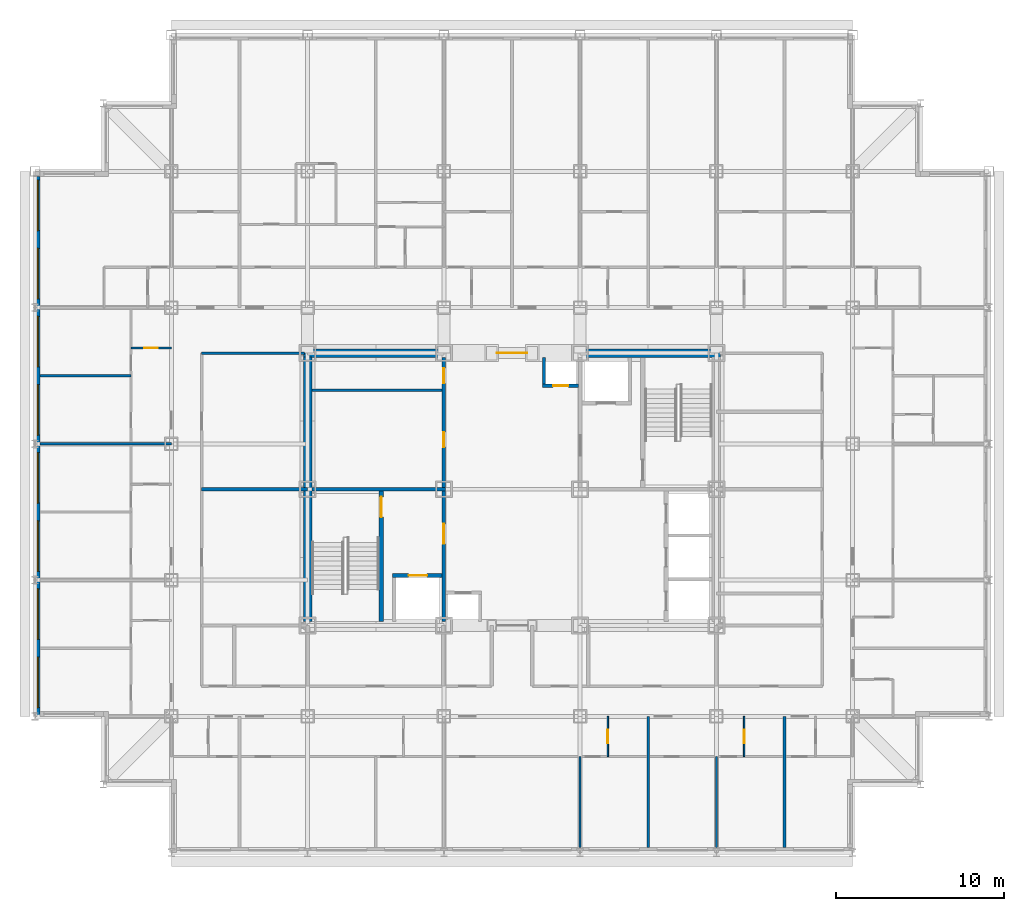
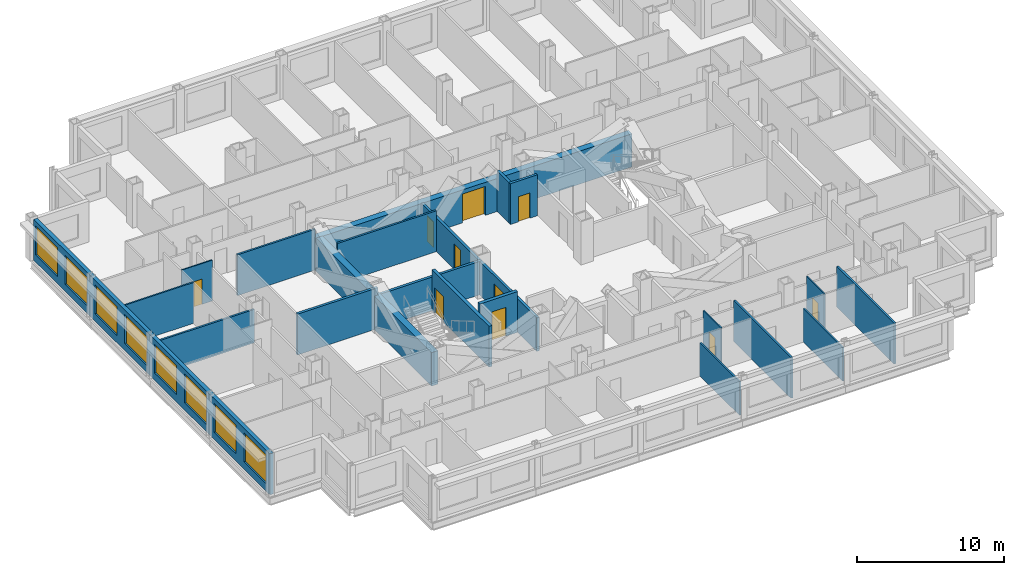
# One storey, part 6 of 12: 22 walls, 10 doors, 8 windows, 18 openings.
"""IFC4 building model written with IfcOpenShell, lengths in metres."""

from ifc_helpers import new_model, si_unit, direction, frame, frame_2d, origin, place, context, subcontext, project, spatial, rectangle, extrude, material, layer, layer_set, type_object, element, fill, save


model = new_model("IFC4")

# Units and contexts
model_context = context("Model", 3, precision=1e-05, world=origin(), true_north=direction((0.0, 1.0)))
body_context = subcontext(model_context, "Body", "Model", "MODEL_VIEW")
ifc_project = project(units=[si_unit("LENGTHUNIT", "METRE"), si_unit("AREAUNIT", "SQUARE_METRE"), si_unit("VOLUMEUNIT", "CUBIC_METRE"), si_unit("PLANEANGLEUNIT", "RADIAN"), si_unit("MASSUNIT", "GRAM", prefix="KILO")], contexts=[model_context])

# Site, building, storey
site_placement = place(None, origin())
site = spatial("IfcSite", under=ifc_project, at=site_placement, CompositionType="ELEMENT")
building_placement = place(site_placement, origin())
building = spatial("IfcBuilding", under=site, at=building_placement, Name="Kopane Lantern Tower", CompositionType="ELEMENT")
storey_placement = place(building_placement, frame((0.0, 0.0, 195.60009765625)))
storey = spatial("IfcBuildingStorey", under=building, at=storey_placement, Name="L50", CompositionType="ELEMENT", Elevation=195.60009765625)

# Walls
ifc_material_1 = material(Name="Gypsum board on steel studs", Category="steel")
ifc_layer_1 = layer(ifc_material_1, 0.1201171875)
ifc_layer_set_1 = layer_set([ifc_layer_1], Name="APARTMENT INTERNAL WALL 120")
wall_type_1 = type_object("IfcWallType", Name="APARTMENT INTERNAL WALL 120", PredefinedType="PARTITIONING", material=ifc_layer_set_1)
for number, where, z_axis, x_axis, name in (
    (1, (32.39990234375, 16.5, 0.0), (0.0, 0.0, 1.0), (0.0, -1.0, 0.0), "Apartment Internal Wall 120 L50"),
    (2, (40.5, 16.5, 0.0), (0.0, 0.0, 1.0), (0.0, -1.0, 0.0), "Apartment Internal Wall 120 L50"),
):
    element("IfcWall", number, at=place(storey_placement, frame(where, z_axis=z_axis, x_axis=x_axis)), inside=storey, type_object=wall_type_1, Name=name, PredefinedType="PARTITIONING", context=body_context, shape_type="SweptSolid", body=[
        extrude(rectangle(XDim=5.39990234375, YDim=0.1201171875, at=frame_2d((2.699951171875, 0.0))), origin(), (0.0, 0.0, 1.0), 2.777587890625),
    ])
wall_1_placement = place(storey_placement, frame((5.699951171875, 39.14990234375, 0.0), z_axis=(0.0, 0.0, 1.0), x_axis=(-1.0, 0.0, 0.0)))
element("IfcWall", 3, at=wall_1_placement, inside=storey, type_object=wall_type_1, Name="Apartment Internal Wall 120 L50", PredefinedType="PARTITIONING", context=body_context, shape_type="SweptSolid", body=[
    extrude(rectangle(XDim=5.39990234375, YDim=0.1201171875, at=frame_2d((2.699951171875, 0.0))), origin(), (0.0, 0.0, 1.0), 3.389892578125),
])

# Wall, opening, door
ifc_material_2 = material(Name="Moisture-resistant board on steel studs", Category="steel")
ifc_layer_2 = layer(ifc_material_2, 0.10009765625)
ifc_layer_set_2 = layer_set([ifc_layer_2], Name="BATHROOM WALL 100")
wall_type_2 = type_object("IfcWallType", Name="BATHROOM WALL 100", PredefinedType="PARTITIONING", material=ifc_layer_set_2)
wall_2_placement = place(storey_placement, frame((34.050048828125, 18.89990234375, 0.0), z_axis=(0.0, 0.0, 1.0), x_axis=(0.0, -1.0, 0.0)))
wall_2 = element("IfcWall", 4, at=wall_2_placement, inside=storey, type_object=wall_type_2, Name="Bathroom Wall 100 L50", PredefinedType="PARTITIONING", context=body_context, shape_type="SweptSolid", body=[
    extrude(rectangle(XDim=2.39990234375, YDim=0.10009765625, at=frame_2d((1.199951171875, 0.0))), origin(), (0.0, 0.0, 1.0), 3.389892578125),
])
opening_1_placement = place(wall_2_placement, frame((0.800048828125, 0.0, 0.0)))
opening_1 = element("IfcOpeningElement", 5, at=opening_1_placement, cuts=wall_2, Name="Opening L50-018", PredefinedType="OPENING", context=body_context, shape_type="SweptSolid", body=[
    extrude(rectangle(XDim=0.800048828125, YDim=2.10009765625, at=frame_2d((0.39990234375, 1.050048828125))), frame((0.0, 0.06005859375, 0.0), z_axis=(0.0, -1.0, 0.0), x_axis=(1.0, 0.0, 0.0)), (0.0, 0.0, 1.0), 0.1201171875),
])
ifc_material_3 = material(Name="Timber door set", Category="wood")
door_type_1 = type_object("IfcDoorType", Name="DOOR D2 800x2100", OperationType="SINGLE_SWING_LEFT", PredefinedType="DOOR", material=ifc_material_3)
door_1_placement = place(opening_1_placement, origin())
door_1 = element("IfcDoor", 6, at=door_1_placement, inside=storey, type_object=door_type_1, Name="Door L50-018", OperationType="SINGLE_SWING_LEFT", OverallHeight=2.10009765625, OverallWidth=0.800048828125, PredefinedType="DOOR", context=body_context, shape_type="SweptSolid", body=[
    extrude(rectangle(XDim=0.800048828125, YDim=2.10009765625, at=frame_2d((0.39990234375, 1.050048828125))), frame((0.0, 0.02490234375, 0.0), z_axis=(0.0, -1.0, 0.0), x_axis=(1.0, 0.0, 0.0)), (0.0, 0.0, 1.0), 0.050048828125),
])
fill(opening_1, door_1)

wall_3_placement = place(storey_placement, frame((42.14990234375, 18.89990234375, 0.0), z_axis=(0.0, 0.0, 1.0), x_axis=(0.0, -1.0, 0.0)))
wall_3 = element("IfcWall", 7, at=wall_3_placement, inside=storey, type_object=wall_type_2, Name="Bathroom Wall 100 L50", PredefinedType="PARTITIONING", context=body_context, shape_type="SweptSolid", body=[
    extrude(rectangle(XDim=2.39990234375, YDim=0.10009765625, at=frame_2d((1.199951171875, 0.0))), origin(), (0.0, 0.0, 1.0), 3.389892578125),
])
opening_2_placement = place(wall_3_placement, frame((0.800048828125, 0.0, 0.0)))
opening_2 = element("IfcOpeningElement", 8, at=opening_2_placement, cuts=wall_3, Name="Opening L50-022", PredefinedType="OPENING", context=body_context, shape_type="SweptSolid", body=[
    extrude(rectangle(XDim=0.800048828125, YDim=2.10009765625, at=frame_2d((0.39990234375, 1.050048828125))), frame((0.0, 0.06005859375, 0.0), z_axis=(0.0, -1.0, 0.0), x_axis=(1.0, 0.0, 0.0)), (0.0, 0.0, 1.0), 0.1201171875),
])
door_2_placement = place(opening_2_placement, origin())
door_2 = element("IfcDoor", 9, at=door_2_placement, inside=storey, type_object=door_type_1, Name="Door L50-022", OperationType="SINGLE_SWING_LEFT", OverallHeight=2.10009765625, OverallWidth=0.800048828125, PredefinedType="DOOR", context=body_context, shape_type="SweptSolid", body=[
    extrude(rectangle(XDim=0.800048828125, YDim=2.10009765625, at=frame_2d((0.39990234375, 1.050048828125))), frame((0.0, 0.02490234375, 0.0), z_axis=(0.0, -1.0, 0.0), x_axis=(1.0, 0.0, 0.0)), (0.0, 0.0, 1.0), 0.050048828125),
])
fill(opening_2, door_2)

wall_4_placement = place(storey_placement, frame((8.10009765625, 40.800048828125, 0.0), z_axis=(0.0, 0.0, 1.0), x_axis=(-1.0, 0.0, 0.0)))
wall_4 = element("IfcWall", 10, at=wall_4_placement, inside=storey, type_object=wall_type_2, Name="Bathroom Wall 100 L50", PredefinedType="PARTITIONING", context=body_context, shape_type="SweptSolid", body=[
    extrude(rectangle(XDim=2.400146484375, YDim=0.10009765625, at=frame_2d((1.2001953125, 0.0))), origin(), (0.0, 0.0, 1.0), 3.389892578125),
])
opening_3_placement = place(wall_4_placement, frame((0.800048828125, 0.0, 0.0)))
opening_3 = element("IfcOpeningElement", 11, at=opening_3_placement, cuts=wall_4, Name="Opening L50-048", PredefinedType="OPENING", context=body_context, shape_type="SweptSolid", body=[
    extrude(rectangle(XDim=0.800048828125, YDim=2.10009765625, at=frame_2d((0.39990234375, 1.050048828125))), frame((0.0, 0.06005859375, 0.0), z_axis=(0.0, -1.0, 0.0), x_axis=(1.0, 0.0, 0.0)), (0.0, 0.0, 1.0), 0.1201171875),
])
door_3_placement = place(opening_3_placement, origin())
door_3 = element("IfcDoor", 12, at=door_3_placement, inside=storey, type_object=door_type_1, Name="Door L50-048", OperationType="SINGLE_SWING_RIGHT", OverallHeight=2.10009765625, OverallWidth=0.800048828125, PredefinedType="DOOR", context=body_context, shape_type="SweptSolid", body=[
    extrude(rectangle(XDim=0.800048828125, YDim=2.10009765625, at=frame_2d((0.39990234375, 1.050048828125))), frame((0.0, 0.02490234375, 0.0), z_axis=(0.0, -1.0, 0.0), x_axis=(1.0, 0.0, 0.0)), (0.0, 0.0, 1.0), 0.050048828125),
])
fill(opening_3, door_3)

ifc_material_4 = material(Name="Gypsum shaft wall EI 120", Category="gypsum")
ifc_layer_3 = layer(ifc_material_4, 0.5)
ifc_layer_set_3 = layer_set([ifc_layer_3], Name="CORE PERIMETER WALL 500 EI 120")
wall_type_3 = type_object("IfcWallType", Name="CORE PERIMETER WALL 500 EI 120", PredefinedType="SOLIDWALL", material=ifc_layer_set_3)
wall_5_placement = place(storey_placement, frame((15.949951171875, 40.5, 0.0), z_axis=(0.0, 0.0, 1.0), x_axis=(1.0, 0.0, 0.0)))
wall_5 = element("IfcWall", 13, at=wall_5_placement, inside=storey, type_object=wall_type_3, Name="Core shaft wall L50 PN", PredefinedType="SOLIDWALL", context=body_context, shape_type="SweptSolid", body=[
    extrude(rectangle(XDim=24.800048828125, YDim=0.5, at=frame_2d((12.39990234375, 0.0))), origin(), (0.0, 0.0, 1.0), 2.739990234375),
])
opening_4_placement = place(wall_5_placement, frame((11.5, 0.0, 0.0)))
opening_4 = element("IfcOpeningElement", 14, at=opening_4_placement, cuts=wall_5, Name="Opening 50.CE-N", PredefinedType="OPENING", context=body_context, shape_type="SweptSolid", body=[
    extrude(rectangle(XDim=1.800048828125, YDim=2.39990234375, at=frame_2d((0.89990234375, 1.199951171875))), frame((0.0, 0.260009765625, 0.0), z_axis=(0.0, -1.0, 0.0), x_axis=(1.0, 0.0, 0.0)), (0.0, 0.0, 1.0), 0.52001953125),
])
ifc_material_5 = material(Name="Steel door set", Category="steel")
door_type_2 = type_object("IfcDoorType", Name="CORE ENTRY DOOR 1800x2400 FD60S", OperationType="DOUBLE_DOOR_SINGLE_SWING", PredefinedType="DOOR", material=ifc_material_5)
door_4_placement = place(opening_4_placement, origin())
door_4 = element("IfcDoor", 15, at=door_4_placement, inside=storey, type_object=door_type_2, Name="Core entry door L50 north", OperationType="DOUBLE_DOOR_SINGLE_SWING", OverallHeight=2.39990234375, OverallWidth=1.800048828125, PredefinedType="DOOR", context=body_context, shape_type="SweptSolid", body=[
    extrude(rectangle(XDim=1.800048828125, YDim=2.39990234375, at=frame_2d((0.89990234375, 1.199951171875))), frame((0.0, 0.02490234375, 0.0), z_axis=(0.0, -1.0, 0.0), x_axis=(1.0, 0.0, 0.0)), (0.0, 0.0, 1.0), 0.050048828125),
])
fill(opening_4, door_4)

# Walls
wall_6_placement = place(storey_placement, frame((16.199951171875, 24.550048828125, 0.0), z_axis=(0.0, 0.0, 1.0), x_axis=(0.0, 1.0, 0.0)))
element("IfcWall", 16, at=wall_6_placement, inside=storey, type_object=wall_type_3, Name="Core shaft wall L50 PW", PredefinedType="SOLIDWALL", context=body_context, shape_type="SweptSolid", body=[
    extrude(rectangle(XDim=15.699951171875, YDim=0.5, at=frame_2d((7.85009765625, 0.0))), origin(), (0.0, 0.0, 1.0), 2.777587890625),
])
ifc_material_6 = material(Name="Gypsum partition EI 60", Category="gypsum")
ifc_layer_4 = layer(ifc_material_6, 0.14990234375)
ifc_layer_set_4 = layer_set([ifc_layer_4], Name="CORE ROOM PARTITION 150 EI 60")
wall_type_4 = type_object("IfcWallType", Name="CORE ROOM PARTITION 150 EI 60", PredefinedType="PARTITIONING", material=ifc_layer_set_4)
wall_7_placement = place(storey_placement, frame((16.449951171875, 38.27490234375, 0.0), z_axis=(0.0, 0.0, 1.0), x_axis=(1.0, 0.0, 0.0)))
element("IfcWall", 17, at=wall_7_placement, inside=storey, type_object=wall_type_4, Name="Core room partition L50 WW1", PredefinedType="PARTITIONING", context=body_context, shape_type="SweptSolid", body=[
    extrude(rectangle(XDim=7.75, YDim=0.14990234375, at=frame_2d((3.875, 0.0))), origin(), (0.0, 0.0, 1.0), 3.389892578125),
])

# Wall, openings, doors
ifc_material_7 = material(Name="Gypsum partition EI 60", Category="gypsum")
ifc_layer_5 = layer(ifc_material_7, 0.199951171875)
ifc_layer_set_5 = layer_set([ifc_layer_5], Name="CORE ROOM WALL 200 EI 60")
wall_type_5 = type_object("IfcWallType", Name="CORE ROOM WALL 200 EI 60", PredefinedType="PARTITIONING", material=ifc_layer_set_5)
wall_8_placement = place(storey_placement, frame((24.300048828125, 32.5, 0.0), z_axis=(0.0, 0.0, 1.0), x_axis=(0.0, 1.0, 0.0)))
wall_8 = element("IfcWall", 18, at=wall_8_placement, inside=storey, type_object=wall_type_5, Name="Core room wall L50 XW", PredefinedType="PARTITIONING", context=body_context, shape_type="SweptSolid", body=[
    extrude(rectangle(XDim=7.75, YDim=0.199951171875, at=frame_2d((3.875, 0.0))), origin(), (0.0, 0.0, 1.0), 2.777587890625),
])
opening_5_placement = place(wall_8_placement, frame((2.39990234375, 0.0, 0.0)))
opening_5 = element("IfcOpeningElement", 19, at=opening_5_placement, cuts=wall_8, Name="Opening 50.C30", PredefinedType="OPENING", context=body_context, shape_type="SweptSolid", body=[
    extrude(rectangle(XDim=0.89990234375, YDim=2.10009765625, at=frame_2d((0.449951171875, 1.050048828125))), frame((0.0, 0.10986328125, 0.0), z_axis=(0.0, -1.0, 0.0), x_axis=(1.0, 0.0, 0.0)), (0.0, 0.0, 1.0), 0.219970703125),
])
opening_6_placement = place(wall_8_placement, frame((6.199951171875, 0.0, 0.0)))
opening_6 = element("IfcOpeningElement", 20, at=opening_6_placement, cuts=wall_8, Name="Opening 50.C31", PredefinedType="OPENING", context=body_context, shape_type="SweptSolid", body=[
    extrude(rectangle(XDim=0.89990234375, YDim=2.10009765625, at=frame_2d((0.449951171875, 1.050048828125))), frame((0.0, 0.10986328125, 0.0), z_axis=(0.0, -1.0, 0.0), x_axis=(1.0, 0.0, 0.0)), (0.0, 0.0, 1.0), 0.219970703125),
])
ifc_material_8 = material(Name="Steel door set", Category="steel")
door_type_3 = type_object("IfcDoorType", Name="CORE ROOM DOOR 900x2100 FD60", OperationType="SINGLE_SWING_LEFT", PredefinedType="DOOR", material=ifc_material_8)
door_5_placement = place(opening_5_placement, origin())
door_5 = element("IfcDoor", 21, at=door_5_placement, inside=storey, type_object=door_type_3, Name="Door Residents storage L50", OperationType="SINGLE_SWING_LEFT", OverallHeight=2.10009765625, OverallWidth=0.89990234375, PredefinedType="DOOR", context=body_context, shape_type="SweptSolid", body=[
    extrude(rectangle(XDim=0.89990234375, YDim=2.10009765625, at=frame_2d((0.449951171875, 1.050048828125))), frame((0.0, 0.02490234375, 0.0), z_axis=(0.0, -1.0, 0.0), x_axis=(1.0, 0.0, 0.0)), (0.0, 0.0, 1.0), 0.050048828125),
])
fill(opening_5, door_5)
door_6_placement = place(opening_6_placement, origin())
door_6 = element("IfcDoor", 22, at=door_6_placement, inside=storey, type_object=door_type_3, Name="Door Refuse room L50", OperationType="SINGLE_SWING_LEFT", OverallHeight=2.10009765625, OverallWidth=0.89990234375, PredefinedType="DOOR", context=body_context, shape_type="SweptSolid", body=[
    extrude(rectangle(XDim=0.89990234375, YDim=2.10009765625, at=frame_2d((0.449951171875, 1.050048828125))), frame((0.0, 0.02490234375, 0.0), z_axis=(0.0, -1.0, 0.0), x_axis=(1.0, 0.0, 0.0)), (0.0, 0.0, 1.0), 0.050048828125),
])
fill(opening_6, door_6)

# Wall, opening, door
ifc_material_9 = material(Name="Gypsum shaft wall EI 120", Category="gypsum")
ifc_layer_6 = layer(ifc_material_9, 0.25)
ifc_layer_set_6 = layer_set([ifc_layer_6], Name="CORE SHAFT WALL 250 EI 120")
wall_type_6 = type_object("IfcWallType", Name="CORE SHAFT WALL 250 EI 120", PredefinedType="SOLIDWALL", material=ifc_layer_set_6)
wall_9_placement = place(storey_placement, frame((20.574951171875, 24.550048828125, 0.0), z_axis=(0.0, 0.0, 1.0), x_axis=(0.0, 1.0, 0.0)))
wall_9 = element("IfcWall", 23, at=wall_9_placement, inside=storey, type_object=wall_type_6, Name="Core shaft wall L50 XST1", PredefinedType="SOLIDWALL", context=body_context, shape_type="SweptSolid", body=[
    extrude(rectangle(XDim=7.75, YDim=0.25, at=frame_2d((3.875, 0.0))), origin(), (0.0, 0.0, 1.0), 3.389892578125),
])
opening_7_placement = place(wall_9_placement, frame((6.199951171875, 0.0, 0.0)))
opening_7 = element("IfcOpeningElement", 24, at=opening_7_placement, cuts=wall_9, Name="Opening 50.SD1", PredefinedType="OPENING", context=body_context, shape_type="SweptSolid", body=[
    extrude(rectangle(XDim=1.199951171875, YDim=2.10009765625, at=frame_2d((0.60009765625, 1.050048828125))), frame((0.0, 0.135009765625, 0.0), z_axis=(0.0, -1.0, 0.0), x_axis=(1.0, 0.0, 0.0)), (0.0, 0.0, 1.0), 0.27001953125),
])
ifc_material_10 = material(Name="Steel door set", Category="steel")
door_type_4 = type_object("IfcDoorType", Name="STAIR DOOR 1200x2100 FD60S", OperationType="SINGLE_SWING_LEFT", PredefinedType="DOOR", material=ifc_material_10)
door_7_placement = place(opening_7_placement, origin())
door_7 = element("IfcDoor", 25, at=door_7_placement, inside=storey, type_object=door_type_4, Name="Stair door ST1 L50", OperationType="SINGLE_SWING_LEFT", OverallHeight=2.10009765625, OverallWidth=1.199951171875, PredefinedType="DOOR", context=body_context, shape_type="SweptSolid", body=[
    extrude(rectangle(XDim=1.199951171875, YDim=2.10009765625, at=frame_2d((0.60009765625, 1.050048828125))), frame((0.0, 0.02490234375, 0.0), z_axis=(0.0, -1.0, 0.0), x_axis=(1.0, 0.0, 0.0)), (0.0, 0.0, 1.0), 0.050048828125),
])
fill(opening_7, door_7)

wall_10_placement = place(storey_placement, frame((21.25, 27.27490234375, 0.0), z_axis=(0.0, 0.0, 1.0), x_axis=(1.0, 0.0, 0.0)))
wall_10 = element("IfcWall", 26, at=wall_10_placement, inside=storey, type_object=wall_type_6, Name="Core shaft wall L50 YLF1", PredefinedType="SOLIDWALL", context=body_context, shape_type="SweptSolid", body=[
    extrude(rectangle(XDim=2.949951171875, YDim=0.25, at=frame_2d((1.47509765625, 0.0))), origin(), (0.0, 0.0, 1.0), 3.389892578125),
])
opening_8_placement = place(wall_10_placement, frame((0.949951171875, 0.0, 0.0)))
opening_8 = element("IfcOpeningElement", 27, at=opening_8_placement, cuts=wall_10, Name="Opening 50.LD-LF1", PredefinedType="OPENING", context=body_context, shape_type="SweptSolid", body=[
    extrude(rectangle(XDim=1.10009765625, YDim=2.39990234375, at=frame_2d((0.550048828125, 1.199951171875))), frame((0.0, 0.135009765625, 0.0), z_axis=(0.0, -1.0, 0.0), x_axis=(1.0, 0.0, 0.0)), (0.0, 0.0, 1.0), 0.27001953125),
])
ifc_material_11 = material(Name="Steel door set", Category="steel")
door_type_5 = type_object("IfcDoorType", Name="LIFT LANDING DOOR 1100x2400 FD60", OperationType="DOUBLE_DOOR_SLIDING", PredefinedType="DOOR", material=ifc_material_11)
door_8_placement = place(opening_8_placement, origin())
door_8 = element("IfcDoor", 28, at=door_8_placement, inside=storey, type_object=door_type_5, Name="Landing door LF1 L50", OperationType="DOUBLE_DOOR_SLIDING", OverallHeight=2.39990234375, OverallWidth=1.10009765625, PredefinedType="DOOR", context=body_context, shape_type="SweptSolid", body=[
    extrude(rectangle(XDim=1.10009765625, YDim=2.39990234375, at=frame_2d((0.550048828125, 1.199951171875))), frame((0.0, 0.02490234375, 0.0), z_axis=(0.0, -1.0, 0.0), x_axis=(1.0, 0.0, 0.0)), (0.0, 0.0, 1.0), 0.050048828125),
])
fill(opening_8, door_8)

# Walls
ifc_material_12 = material(Name="Gypsum board on steel studs", Category="steel")
ifc_layer_7 = layer(ifc_material_12, 0.14990234375)
ifc_layer_set_7 = layer_set([ifc_layer_7], Name="CORRIDOR WALL 150 EI 60")
wall_type_7 = type_object("IfcWallType", Name="CORRIDOR WALL 150 EI 60", PredefinedType="PARTITIONING", material=ifc_layer_set_7)
wall_11_placement = place(storey_placement, frame((16.0, 40.5, 0.0), z_axis=(0.0, 0.0, 1.0), x_axis=(-1.0, 0.0, 0.0)))
element("IfcWall", 29, at=wall_11_placement, inside=storey, type_object=wall_type_7, Name="Corridor Wall 150 Ei 60 L50", PredefinedType="PARTITIONING", context=body_context, shape_type="SweptSolid", body=[
    extrude(rectangle(XDim=6.10009765625, YDim=0.14990234375, at=frame_2d((3.050048828125, 0.0))), origin(), (0.0, 0.0, 1.0), 3.389892578125),
])
ifc_material_13 = material(Name="Gypsum board on steel studs", Category="steel")
ifc_layer_8 = layer(ifc_material_13, 0.14990234375)
ifc_layer_set_8 = layer_set([ifc_layer_8], Name="DEMISING WALL 150 EI 60")
wall_type_8 = type_object("IfcWallType", Name="DEMISING WALL 150 EI 60", PredefinedType="PARTITIONING", material=ifc_layer_set_8)
wall_12_placement = place(storey_placement, frame((36.449951171875, 18.89990234375, 0.0), z_axis=(0.0, 0.0, 1.0), x_axis=(0.0, -1.0, 0.0)))
element("IfcWall", 30, at=wall_12_placement, inside=storey, type_object=wall_type_8, Name="Demising Wall 150 Ei 60 L50", PredefinedType="PARTITIONING", context=body_context, shape_type="SweptSolid", body=[
    extrude(rectangle(XDim=7.7998046875, YDim=0.14990234375, at=frame_2d((3.89990234375, 0.0))), origin(), (0.0, 0.0, 1.0), 3.389892578125),
])
wall_13_placement = place(storey_placement, frame((8.10009765625, 35.10009765625, 0.0), z_axis=(0.0, 0.0, 1.0), x_axis=(-1.0, 0.0, 0.0)))
element("IfcWall", 31, at=wall_13_placement, inside=storey, type_object=wall_type_8, Name="Demising Wall 150 Ei 60 L50", PredefinedType="PARTITIONING", context=body_context, shape_type="SweptSolid", body=[
    extrude(rectangle(XDim=7.800048828125, YDim=0.14990234375, at=frame_2d((3.89990234375, 0.0))), origin(), (0.0, 0.0, 1.0), 2.777587890625),
])
wall_14_placement = place(storey_placement, frame((44.550048828125, 18.89990234375, 0.0), z_axis=(0.0, 0.0, 1.0), x_axis=(0.0, -1.0, 0.0)))
element("IfcWall", 32, at=wall_14_placement, inside=storey, type_object=wall_type_8, Name="Demising Wall 150 Ei 60 L50", PredefinedType="PARTITIONING", context=body_context, shape_type="SweptSolid", body=[
    extrude(rectangle(XDim=7.7998046875, YDim=0.14990234375, at=frame_2d((3.89990234375, 0.0))), origin(), (0.0, 0.0, 1.0), 3.389892578125),
])

# Wall, openings, windows
ifc_material_14 = material(Name="Terracotta rainscreen on light steel framing", Category="masonry")
ifc_layer_9 = layer(ifc_material_14, 0.300048828125)
ifc_layer_set_9 = layer_set([ifc_layer_9], Name="EXTERNAL WALL EW1 300 TERRACOTTA")
wall_type_9 = type_object("IfcWallType", Name="EXTERNAL WALL EW1 300 TERRACOTTA", PredefinedType="SOLIDWALL", material=ifc_layer_set_9)
wall_15_placement = place(storey_placement, frame((0.14990234375, 51.0, 0.0), z_axis=(0.0, 0.0, 1.0), x_axis=(0.0, -1.0, 0.0)))
wall_15 = element("IfcWall", 33, at=wall_15_placement, inside=storey, type_object=wall_type_9, Name="External wall W L50", PredefinedType="SOLIDWALL", context=body_context, shape_type="SweptSolid", body=[
    extrude(rectangle(XDim=32.10009765625, YDim=0.300048828125, at=frame_2d((16.050048828125, 0.0))), origin(), (0.0, 0.0, 1.0), 3.389892578125),
])
opening_9_placement = place(wall_15_placement, frame((0.22509765625, 0.0, 0.60009765625)))
opening_9 = element("IfcOpeningElement", 34, at=opening_9_placement, cuts=wall_15, Name="Opening WR300240", PredefinedType="OPENING", context=body_context, shape_type="SweptSolid", body=[
    extrude(rectangle(XDim=3.0, YDim=2.39990234375, at=frame_2d((1.5, 1.199951171875))), frame((0.0, 0.159912109375, 0.0), z_axis=(0.0, -1.0, 0.0), x_axis=(1.0, 0.0, 0.0)), (0.0, 0.0, 1.0), 0.320068359375),
])
opening_10_placement = place(wall_15_placement, frame((4.27490234375, 0.0, 0.60009765625)))
opening_10 = element("IfcOpeningElement", 35, at=opening_10_placement, cuts=wall_15, Name="Opening WR300240", PredefinedType="OPENING", context=body_context, shape_type="SweptSolid", body=[
    extrude(rectangle(XDim=3.0, YDim=2.39990234375, at=frame_2d((1.5, 1.199951171875))), frame((0.0, 0.159912109375, 0.0), z_axis=(0.0, -1.0, 0.0), x_axis=(1.0, 0.0, 0.0)), (0.0, 0.0, 1.0), 0.320068359375),
])
opening_11_placement = place(wall_15_placement, frame((8.324951171875, 0.0, 0.60009765625)))
opening_11 = element("IfcOpeningElement", 36, at=opening_11_placement, cuts=wall_15, Name="Opening WR300240", PredefinedType="OPENING", context=body_context, shape_type="SweptSolid", body=[
    extrude(rectangle(XDim=3.0, YDim=2.39990234375, at=frame_2d((1.5, 1.199951171875))), frame((0.0, 0.159912109375, 0.0), z_axis=(0.0, -1.0, 0.0), x_axis=(1.0, 0.0, 0.0)), (0.0, 0.0, 1.0), 0.320068359375),
])
opening_12_placement = place(wall_15_placement, frame((12.375, 0.0, 0.60009765625)))
opening_12 = element("IfcOpeningElement", 37, at=opening_12_placement, cuts=wall_15, Name="Opening WR300240", PredefinedType="OPENING", context=body_context, shape_type="SweptSolid", body=[
    extrude(rectangle(XDim=3.0, YDim=2.39990234375, at=frame_2d((1.5, 1.199951171875))), frame((0.0, 0.159912109375, 0.0), z_axis=(0.0, -1.0, 0.0), x_axis=(1.0, 0.0, 0.0)), (0.0, 0.0, 1.0), 0.320068359375),
])
opening_13_placement = place(wall_15_placement, frame((16.425048828125, 0.0, 0.60009765625)))
opening_13 = element("IfcOpeningElement", 38, at=opening_13_placement, cuts=wall_15, Name="Opening WR300240", PredefinedType="OPENING", context=body_context, shape_type="SweptSolid", body=[
    extrude(rectangle(XDim=3.0, YDim=2.39990234375, at=frame_2d((1.5, 1.199951171875))), frame((0.0, 0.159912109375, 0.0), z_axis=(0.0, -1.0, 0.0), x_axis=(1.0, 0.0, 0.0)), (0.0, 0.0, 1.0), 0.320068359375),
])
opening_14_placement = place(wall_15_placement, frame((20.47509765625, 0.0, 0.60009765625)))
opening_14 = element("IfcOpeningElement", 39, at=opening_14_placement, cuts=wall_15, Name="Opening WR300240", PredefinedType="OPENING", context=body_context, shape_type="SweptSolid", body=[
    extrude(rectangle(XDim=3.0, YDim=2.39990234375, at=frame_2d((1.5, 1.199951171875))), frame((0.0, 0.159912109375, 0.0), z_axis=(0.0, -1.0, 0.0), x_axis=(1.0, 0.0, 0.0)), (0.0, 0.0, 1.0), 0.320068359375),
])
opening_15_placement = place(wall_15_placement, frame((24.52490234375, 0.0, 0.60009765625)))
opening_15 = element("IfcOpeningElement", 40, at=opening_15_placement, cuts=wall_15, Name="Opening WR300240", PredefinedType="OPENING", context=body_context, shape_type="SweptSolid", body=[
    extrude(rectangle(XDim=3.0, YDim=2.39990234375, at=frame_2d((1.5, 1.199951171875))), frame((0.0, 0.159912109375, 0.0), z_axis=(0.0, -1.0, 0.0), x_axis=(1.0, 0.0, 0.0)), (0.0, 0.0, 1.0), 0.320068359375),
])
opening_16_placement = place(wall_15_placement, frame((28.574951171875, 0.0, 0.60009765625)))
opening_16 = element("IfcOpeningElement", 41, at=opening_16_placement, cuts=wall_15, Name="Opening WR300240", PredefinedType="OPENING", context=body_context, shape_type="SweptSolid", body=[
    extrude(rectangle(XDim=3.0, YDim=2.39990234375, at=frame_2d((1.5, 1.199951171875))), frame((0.0, 0.159912109375, 0.0), z_axis=(0.0, -1.0, 0.0), x_axis=(1.0, 0.0, 0.0)), (0.0, 0.0, 1.0), 0.320068359375),
])
ifc_material_15 = material(Name="Aluminium and clear glass", Category="aluminium")
window_type = type_object("IfcWindowType", Name="RIBBON WINDOW WR300240 3000x2400", PartitioningType="SINGLE_PANEL", PredefinedType="WINDOW", material=ifc_material_15)
window_1_placement = place(opening_9_placement, origin())
window_1 = element("IfcWindow", 42, at=window_1_placement, inside=storey, type_object=window_type, Name="Window W L50", OverallHeight=2.39990234375, OverallWidth=3.0, PartitioningType="SINGLE_PANEL", PredefinedType="WINDOW", context=body_context, shape_type="SweptSolid", body=[
    extrude(rectangle(XDim=3.0, YDim=2.39990234375, at=frame_2d((1.5, 1.199951171875))), frame((0.0, 0.030029296875, 0.0), z_axis=(0.0, -1.0, 0.0), x_axis=(1.0, 0.0, 0.0)), (0.0, 0.0, 1.0), 0.06005859375),
])
fill(opening_9, window_1)
window_2_placement = place(opening_10_placement, origin())
window_2 = element("IfcWindow", 43, at=window_2_placement, inside=storey, type_object=window_type, Name="Window W L50", OverallHeight=2.39990234375, OverallWidth=3.0, PartitioningType="SINGLE_PANEL", PredefinedType="WINDOW", context=body_context, shape_type="SweptSolid", body=[
    extrude(rectangle(XDim=3.0, YDim=2.39990234375, at=frame_2d((1.5, 1.199951171875))), frame((0.0, 0.030029296875, 0.0), z_axis=(0.0, -1.0, 0.0), x_axis=(1.0, 0.0, 0.0)), (0.0, 0.0, 1.0), 0.06005859375),
])
fill(opening_10, window_2)
window_3_placement = place(opening_11_placement, origin())
window_3 = element("IfcWindow", 44, at=window_3_placement, inside=storey, type_object=window_type, Name="Window W L50", OverallHeight=2.39990234375, OverallWidth=3.0, PartitioningType="SINGLE_PANEL", PredefinedType="WINDOW", context=body_context, shape_type="SweptSolid", body=[
    extrude(rectangle(XDim=3.0, YDim=2.39990234375, at=frame_2d((1.5, 1.199951171875))), frame((0.0, 0.030029296875, 0.0), z_axis=(0.0, -1.0, 0.0), x_axis=(1.0, 0.0, 0.0)), (0.0, 0.0, 1.0), 0.06005859375),
])
fill(opening_11, window_3)
window_4_placement = place(opening_12_placement, origin())
window_4 = element("IfcWindow", 45, at=window_4_placement, inside=storey, type_object=window_type, Name="Window W L50", OverallHeight=2.39990234375, OverallWidth=3.0, PartitioningType="SINGLE_PANEL", PredefinedType="WINDOW", context=body_context, shape_type="SweptSolid", body=[
    extrude(rectangle(XDim=3.0, YDim=2.39990234375, at=frame_2d((1.5, 1.199951171875))), frame((0.0, 0.030029296875, 0.0), z_axis=(0.0, -1.0, 0.0), x_axis=(1.0, 0.0, 0.0)), (0.0, 0.0, 1.0), 0.06005859375),
])
fill(opening_12, window_4)
window_5_placement = place(opening_13_placement, origin())
window_5 = element("IfcWindow", 46, at=window_5_placement, inside=storey, type_object=window_type, Name="Window W L50", OverallHeight=2.39990234375, OverallWidth=3.0, PartitioningType="SINGLE_PANEL", PredefinedType="WINDOW", context=body_context, shape_type="SweptSolid", body=[
    extrude(rectangle(XDim=3.0, YDim=2.39990234375, at=frame_2d((1.5, 1.199951171875))), frame((0.0, 0.030029296875, 0.0), z_axis=(0.0, -1.0, 0.0), x_axis=(1.0, 0.0, 0.0)), (0.0, 0.0, 1.0), 0.06005859375),
])
fill(opening_13, window_5)
window_6_placement = place(opening_14_placement, origin())
window_6 = element("IfcWindow", 47, at=window_6_placement, inside=storey, type_object=window_type, Name="Window W L50", OverallHeight=2.39990234375, OverallWidth=3.0, PartitioningType="SINGLE_PANEL", PredefinedType="WINDOW", context=body_context, shape_type="SweptSolid", body=[
    extrude(rectangle(XDim=3.0, YDim=2.39990234375, at=frame_2d((1.5, 1.199951171875))), frame((0.0, 0.030029296875, 0.0), z_axis=(0.0, -1.0, 0.0), x_axis=(1.0, 0.0, 0.0)), (0.0, 0.0, 1.0), 0.06005859375),
])
fill(opening_14, window_6)
window_7_placement = place(opening_15_placement, origin())
window_7 = element("IfcWindow", 48, at=window_7_placement, inside=storey, type_object=window_type, Name="Window W L50", OverallHeight=2.39990234375, OverallWidth=3.0, PartitioningType="SINGLE_PANEL", PredefinedType="WINDOW", context=body_context, shape_type="SweptSolid", body=[
    extrude(rectangle(XDim=3.0, YDim=2.39990234375, at=frame_2d((1.5, 1.199951171875))), frame((0.0, 0.030029296875, 0.0), z_axis=(0.0, -1.0, 0.0), x_axis=(1.0, 0.0, 0.0)), (0.0, 0.0, 1.0), 0.06005859375),
])
fill(opening_15, window_7)
window_8_placement = place(opening_16_placement, origin())
window_8 = element("IfcWindow", 49, at=window_8_placement, inside=storey, type_object=window_type, Name="Window W L50", OverallHeight=2.39990234375, OverallWidth=3.0, PartitioningType="SINGLE_PANEL", PredefinedType="WINDOW", context=body_context, shape_type="SweptSolid", body=[
    extrude(rectangle(XDim=3.0, YDim=2.39990234375, at=frame_2d((1.5, 1.199951171875))), frame((0.0, 0.030029296875, 0.0), z_axis=(0.0, -1.0, 0.0), x_axis=(1.0, 0.0, 0.0)), (0.0, 0.0, 1.0), 0.06005859375),
])
fill(opening_16, window_8)

# Walls
ifc_material_16 = material(Name="Concrete masonry", Category="masonry")
ifc_layer_10 = layer(ifc_material_16, 0.199951171875)
ifc_layer_set_10 = layer_set([ifc_layer_10], Name="PLANT ROOM WALL 200 EI 120")
wall_type_10 = type_object("IfcWallType", Name="PLANT ROOM WALL 200 EI 120", PredefinedType="SOLIDWALL", material=ifc_layer_set_10)
wall_16_placement = place(storey_placement, frame((9.89990234375, 32.39990234375, 0.0), z_axis=(0.0, 0.0, 1.0), x_axis=(1.0, 0.0, 0.0)))
element("IfcWall", 50, at=wall_16_placement, inside=storey, type_object=wall_type_10, Name="Plant Room Wall 200 Ei 120 L50", PredefinedType="SOLIDWALL", context=body_context, shape_type="SweptSolid", body=[
    extrude(rectangle(XDim=6.300048828125, YDim=0.199951171875, at=frame_2d((3.14990234375, 0.0))), origin(), (0.0, 0.0, 1.0), 3.389892578125),
])
ifc_material_17 = material(Name="Gypsum shaft wall EI 120", Category="gypsum")
ifc_layer_11 = layer(ifc_material_17, 0.199951171875)
ifc_layer_set_11 = layer_set([ifc_layer_11], Name="SHAFT WALL 200 EI 120")
wall_type_11 = type_object("IfcWallType", Name="SHAFT WALL 200 EI 120", PredefinedType="SOLIDWALL", material=ifc_layer_set_11)
wall_17_placement = place(storey_placement, frame((16.449951171875, 32.39990234375, 0.0), z_axis=(0.0, 0.0, 1.0), x_axis=(1.0, 0.0, 0.0)))
element("IfcWall", 51, at=wall_17_placement, inside=storey, type_object=wall_type_11, Name="Core shaft wall L50 Y324W", PredefinedType="SOLIDWALL", context=body_context, shape_type="SweptSolid", body=[
    extrude(rectangle(XDim=7.949951171875, YDim=0.199951171875, at=frame_2d((3.97509765625, 0.0))), origin(), (0.0, 0.0, 1.0), 2.777587890625),
])

# Wall, opening, door
wall_18_placement = place(storey_placement, frame((24.300048828125, 24.550048828125, 0.0), z_axis=(0.0, 0.0, 1.0), x_axis=(0.0, 1.0, 0.0)))
wall_18 = element("IfcWall", 52, at=wall_18_placement, inside=storey, type_object=wall_type_11, Name="Core shaft wall L50 X243", PredefinedType="SOLIDWALL", context=body_context, shape_type="SweptSolid", body=[
    extrude(rectangle(XDim=7.75, YDim=0.199951171875, at=frame_2d((3.875, 0.0))), origin(), (0.0, 0.0, 1.0), 2.777587890625),
])
opening_17_placement = place(wall_18_placement, frame((4.60009765625, 0.0, 0.0)))
opening_17 = element("IfcOpeningElement", 53, at=opening_17_placement, cuts=wall_18, Name="Opening 50.FL1", PredefinedType="OPENING", context=body_context, shape_type="SweptSolid", body=[
    extrude(rectangle(XDim=1.199951171875, YDim=2.10009765625, at=frame_2d((0.60009765625, 1.050048828125))), frame((0.0, 0.10986328125, 0.0), z_axis=(0.0, -1.0, 0.0), x_axis=(1.0, 0.0, 0.0)), (0.0, 0.0, 1.0), 0.219970703125),
])
ifc_material_18 = material(Name="Steel door set", Category="steel")
door_type_6 = type_object("IfcDoorType", Name="FIREFIGHTING LOBBY DOOR 1200x2100 FD60S", OperationType="SINGLE_SWING_RIGHT", PredefinedType="DOOR", material=ifc_material_18)
door_9_placement = place(opening_17_placement, origin())
door_9 = element("IfcDoor", 54, at=door_9_placement, inside=storey, type_object=door_type_6, Name="Firefighting lobby door FL1 L50", OperationType="SINGLE_SWING_LEFT", OverallHeight=2.10009765625, OverallWidth=1.199951171875, PredefinedType="DOOR", context=body_context, shape_type="SweptSolid", body=[
    extrude(rectangle(XDim=1.199951171875, YDim=2.10009765625, at=frame_2d((0.60009765625, 1.050048828125))), frame((0.0, 0.02490234375, 0.0), z_axis=(0.0, -1.0, 0.0), x_axis=(1.0, 0.0, 0.0)), (0.0, 0.0, 1.0), 0.050048828125),
])
fill(opening_17, door_9)

# Wall
wall_19_placement = place(storey_placement, frame((30.25, 38.64990234375, 0.0), z_axis=(0.0, 0.0, 1.0), x_axis=(0.0, 1.0, 0.0)))
element("IfcWall", 55, at=wall_19_placement, inside=storey, type_object=wall_type_11, Name="Core shaft wall L50 XRS2", PredefinedType="SOLIDWALL", context=body_context, shape_type="SweptSolid", body=[
    extrude(rectangle(XDim=1.60009765625, YDim=0.199951171875, at=frame_2d((0.800048828125, 0.0))), origin(), (0.0, 0.0, 1.0), 3.389892578125),
])

# Wall, opening, door
wall_20_placement = place(storey_placement, frame((30.14990234375, 38.550048828125, 0.0), z_axis=(0.0, 0.0, 1.0), x_axis=(1.0, 0.0, 0.0)))
wall_20 = element("IfcWall", 56, at=wall_20_placement, inside=storey, type_object=wall_type_11, Name="Core shaft wall L50 YRS2", PredefinedType="SOLIDWALL", context=body_context, shape_type="SweptSolid", body=[
    extrude(rectangle(XDim=2.150146484375, YDim=0.199951171875, at=frame_2d((1.0751953125, 0.0))), origin(), (0.0, 0.0, 1.0), 3.389892578125),
])
opening_18_placement = place(wall_20_placement, frame((0.64990234375, 0.0, 0.0)))
opening_18 = element("IfcOpeningElement", 57, at=opening_18_placement, cuts=wall_20, Name="Opening 50.RS2", PredefinedType="OPENING", context=body_context, shape_type="SweptSolid", body=[
    extrude(rectangle(XDim=0.89990234375, YDim=2.10009765625, at=frame_2d((0.449951171875, 1.050048828125))), frame((0.0, 0.10986328125, 0.0), z_axis=(0.0, -1.0, 0.0), x_axis=(1.0, 0.0, 0.0)), (0.0, 0.0, 1.0), 0.219970703125),
])
ifc_material_19 = material(Name="Steel door set", Category="steel")
door_type_7 = type_object("IfcDoorType", Name="RISER ACCESS DOOR 900x2100 FD60", OperationType="SINGLE_SWING_LEFT", PredefinedType="DOOR", material=ifc_material_19)
door_10_placement = place(opening_18_placement, origin())
door_10 = element("IfcDoor", 58, at=door_10_placement, inside=storey, type_object=door_type_7, Name="Riser access door RS2 L50", OperationType="SINGLE_SWING_LEFT", OverallHeight=2.10009765625, OverallWidth=0.89990234375, PredefinedType="DOOR", context=body_context, shape_type="SweptSolid", body=[
    extrude(rectangle(XDim=0.89990234375, YDim=2.10009765625, at=frame_2d((0.449951171875, 1.050048828125))), frame((0.0, 0.02490234375, 0.0), z_axis=(0.0, -1.0, 0.0), x_axis=(1.0, 0.0, 0.0)), (0.0, 0.0, 1.0), 0.050048828125),
])
fill(opening_18, door_10)

save(model, "model.ifc")
